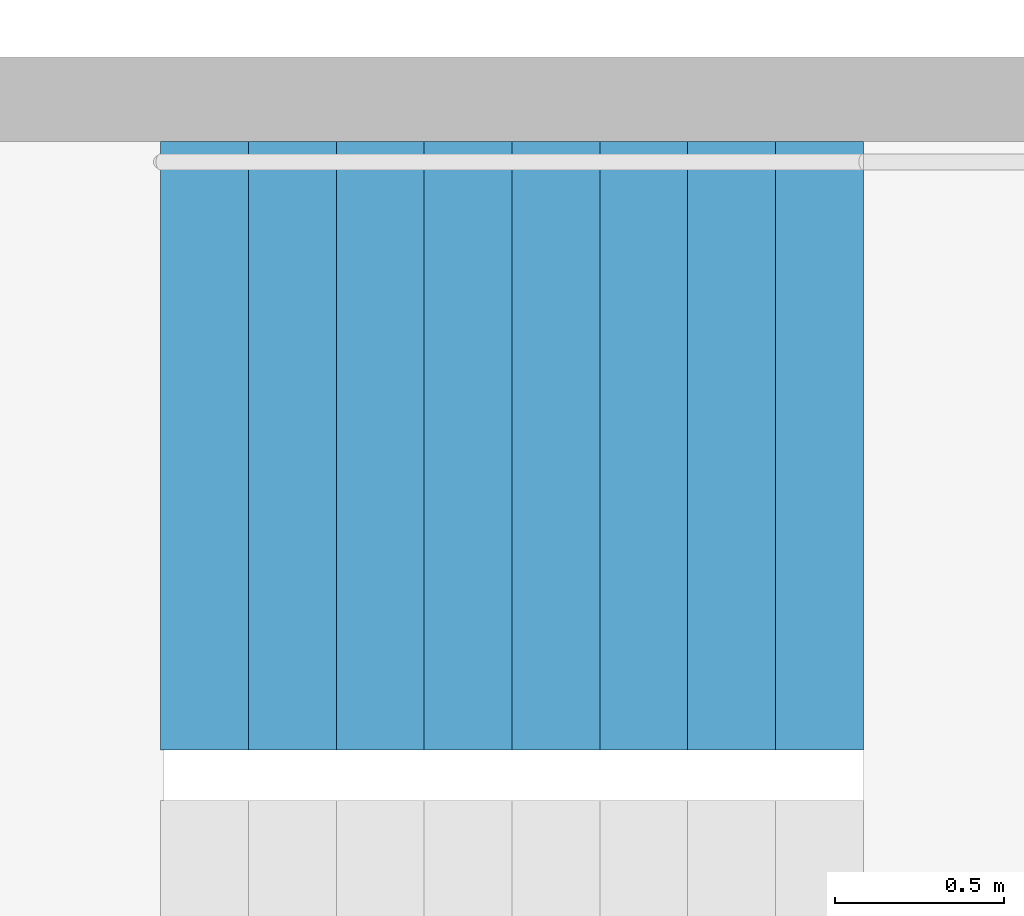
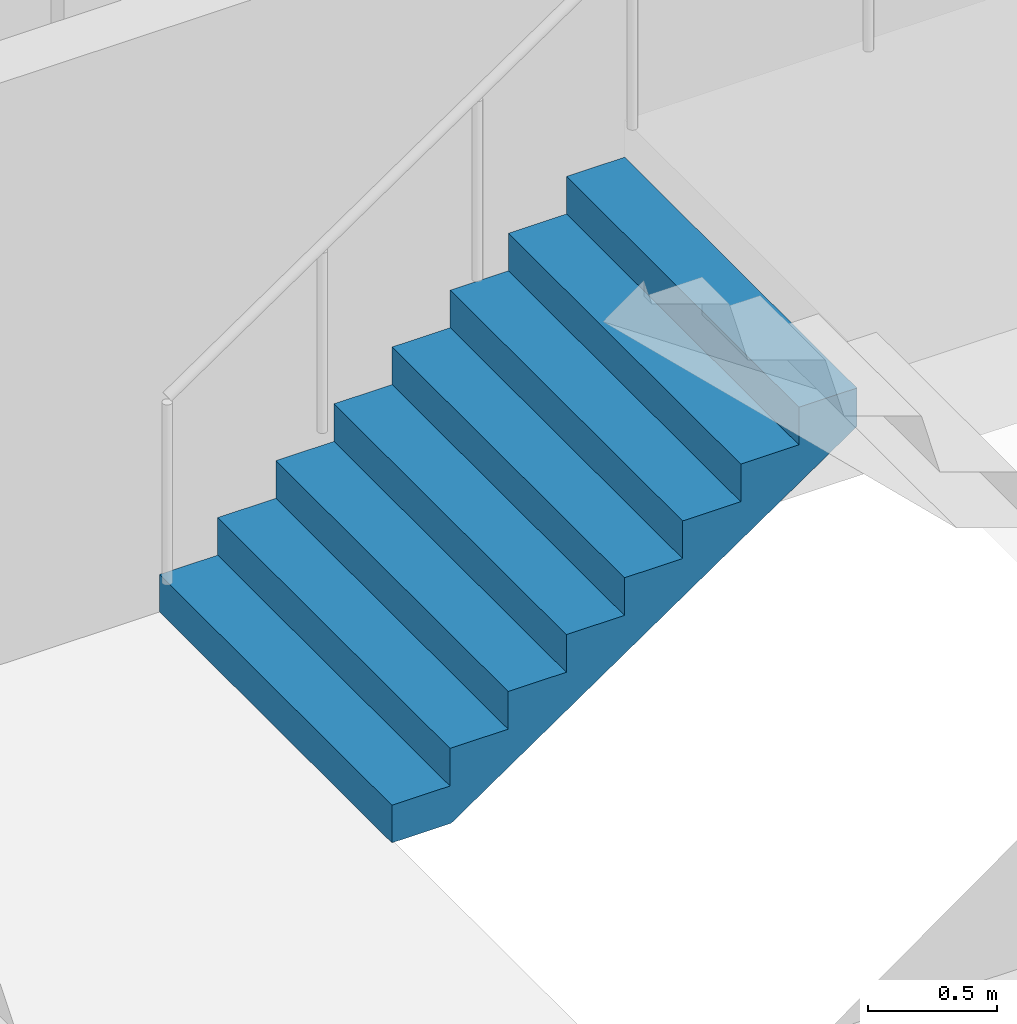
# One storey, part 24 of 27: 1 stair flight, 1 element without a shape of its own.
"""IFC4 building model written with IfcOpenShell, lengths in metres."""

import ifcopenshell
import ifcopenshell.guid

model = None  # the IFC model being written
_history = None  # IfcOwnerHistory: only IFC2X3 demands one
_inside = {}  # id of a spatial element -> (the spatial element, [elements in it])
_under = {}  # id of a project, library or spatial element -> (it, [spatial elements below it])
_declared = {}  # id of a project -> (the project, [libraries it declares])
_typed = {}  # id of a type object -> (the type object, [elements of that type])
_made_of = {}  # id of a material, layer set ... -> (it, [elements and type objects made of it])


def new_model(schema):
    """Start an empty IFC model of exactly this schema.

    Asked for "IFC4X3", IfcOpenShell would pick the latest addendum, in which some entities
    have other attributes; the version numbers below select the first issue.
    IFC2X3 requires an IfcOwnerHistory on every rooted entity: one is made here for all.
    """
    global model, _history
    if schema == "IFC4X3":
        model = ifcopenshell.file(schema_version=(4, 3, 0, 0))
    else:
        model = ifcopenshell.file(schema=schema)
    _inside.clear()
    _under.clear()
    _declared.clear()
    _typed.clear()
    _made_of.clear()
    _history = None
    if model.schema == "IFC2X3":
        org = make("IfcOrganization", Name="unknown")
        user = make(
            "IfcPersonAndOrganization",
            ThePerson=make("IfcPerson", FamilyName="unknown"),
            TheOrganization=org,
        )
        app = make(
            "IfcApplication",
            ApplicationDeveloper=org,
            Version="unknown",
            ApplicationFullName="unknown",
            ApplicationIdentifier="unknown",
        )
        _history = make(
            "IfcOwnerHistory",
            OwningUser=user,
            OwningApplication=app,
            ChangeAction="ADDED",
            CreationDate=0,
        )
    return model


def make(cls, **values):
    """One entity of the class cls with the attributes given. An attribute that is None is left unset."""
    return model.create_entity(
        cls, **{name: value for name, value in values.items() if value is not None}
    )


def rooted(cls, **values):
    """An entity with a GlobalId (a new one), such as an element, a storey or a relation."""
    return make(cls, GlobalId=ifcopenshell.guid.new(), OwnerHistory=_history, **values)


def si_unit(unit_type, name, prefix=None):
    """IfcSIUnit, for example si_unit("LENGTHUNIT", "METRE", prefix="MILLI")."""
    return make("IfcSIUnit", UnitType=unit_type, Prefix=prefix, Name=name)


def assignment(units):
    """IfcUnitAssignment: the units of a project."""
    return None if units is None else make("IfcUnitAssignment", Units=units)


def point(xyz):
    """IfcCartesianPoint."""
    return None if xyz is None else make("IfcCartesianPoint", Coordinates=xyz)


def direction(xyz):
    """IfcDirection."""
    return None if xyz is None else make("IfcDirection", DirectionRatios=xyz)


def frame(location, z_axis=None, x_axis=None):
    """IfcAxis2Placement3D, a coordinate frame: its origin and axes. An axis left out is left unset."""
    return make(
        "IfcAxis2Placement3D",
        Location=point(location),
        Axis=direction(z_axis),
        RefDirection=direction(x_axis),
    )


def origin():
    """The frame at (0, 0, 0) with its axes left unset."""
    return frame((0.0, 0.0, 0.0))


def place(relative_to, where):
    """IfcLocalPlacement: puts the frame where relative to a parent placement (None: the world)."""
    return make(
        "IfcLocalPlacement", PlacementRelTo=relative_to, RelativePlacement=where
    )


def context(
    kind, dimensions, precision=None, world=None, true_north=None, identifier=None
):
    """IfcGeometricRepresentationContext, for example the 3D "Model" context."""
    return make(
        "IfcGeometricRepresentationContext",
        ContextIdentifier=identifier,
        ContextType=kind,
        CoordinateSpaceDimension=dimensions,
        Precision=precision,
        WorldCoordinateSystem=world,
        TrueNorth=true_north,
    )


def subcontext(parent, identifier, kind, view, scale=None):
    """IfcGeometricRepresentationSubContext, for example "Body" below "Model"."""
    return make(
        "IfcGeometricRepresentationSubContext",
        ContextIdentifier=identifier,
        ContextType=kind,
        ParentContext=parent,
        TargetScale=scale,
        TargetView=view,
    )


def project(units=None, contexts=None):
    """IfcProject with its units and contexts."""
    return rooted(
        "IfcProject",
        Name="project",
        RepresentationContexts=contexts,
        UnitsInContext=assignment(units),
    )


def spatial(cls, under=None, at=None, **own):
    """A site, building, storey or space (cls), placed at a placement, below another one or the project."""
    s = rooted(cls, ObjectPlacement=at, **own)
    if under is not None:
        _under.setdefault(under.id(), (under, []))[1].append(s)
    return s


def point_list(points):
    """IfcCartesianPointList2D or 3D."""
    cls = (
        "IfcCartesianPointList2D" if len(points[0]) == 2 else "IfcCartesianPointList3D"
    )
    return make(cls, CoordList=points)


def triangles(points, corners, closed=None, point_numbers=None):
    """IfcTriangulatedFaceSet: each triangle names its three corners, points numbered from 1."""
    return make(
        "IfcTriangulatedFaceSet",
        Coordinates=point_list(points),
        Closed=closed,
        CoordIndex=corners,
        PnIndex=point_numbers,
    )


def shape(context_of_items, identifier, shape_type, items):
    """IfcShapeRepresentation: the items that make up one representation, for example the "Body"."""
    return make(
        "IfcShapeRepresentation",
        ContextOfItems=context_of_items,
        RepresentationIdentifier=identifier,
        RepresentationType=shape_type,
        Items=items,
    )


def material(Name=None, Category=None):
    """IfcMaterial."""
    return make("IfcMaterial", Name=Name, Category=Category)


def made_of(thing, what):
    """Note that an element or type object is made of a material, layer set ...; save() writes the relation."""
    if what is not None:
        _made_of.setdefault(what.id(), (what, []))[1].append(thing)
    return thing


def type_object(cls, material=None, **own):
    """A type object (cls), such as IfcWallType, which elements share."""
    return made_of(rooted(cls, **own), material)


def element(
    cls,
    number,
    at=None,
    inside=None,
    cuts=None,
    type_object=None,
    material=None,
    context=None,
    identifier="Body",
    shape_type=None,
    held_by="IfcProductDefinitionShape",
    body=None,
    shapes=None,
    **own,
):
    """One element of the class cls, such as IfcWall. Its Tag is "e" and its number.

    at: its placement. inside: the storey or other place that contains it. cuts: it is an
    opening in that element (IfcRelVoidsElement). A single representation is given by context,
    identifier, shape_type and body (its items); several are given by shapes. held_by: the class
    of the entity that holds the representations. save() writes the other relations.
    """
    e = rooted(cls, Tag="e%d" % number, ObjectPlacement=at, **own)
    if body is not None:
        shapes = [shape(context, identifier, shape_type, body)]
    if shapes is not None:
        e.Representation = make(held_by, Representations=shapes)
    if inside is not None:
        _inside.setdefault(inside.id(), (inside, []))[1].append(e)
    if cuts is not None:
        rooted(
            "IfcRelVoidsElement", RelatingBuildingElement=cuts, RelatedOpeningElement=e
        )
    if type_object is not None:
        _typed.setdefault(type_object.id(), (type_object, []))[1].append(e)
    return made_of(e, material)


def aggregate(whole, parts):
    """IfcRelAggregates: a whole, such as a stair, and the parts it consists of."""
    return rooted("IfcRelAggregates", RelatingObject=whole, RelatedObjects=parts)


def save(model, path):
    """Write the relations noted so far, then the file.

    IfcRelAggregates (storeys below a building ...), IfcRelContainedInSpatialStructure (elements
    in a storey), IfcRelDefinesByType, IfcRelAssociatesMaterial and IfcRelDeclares: one each for
    every whole, place, type object, material and project.
    """
    for whole, parts in _under.values():
        aggregate(whole, parts)
    for where, things in _inside.values():
        rooted(
            "IfcRelContainedInSpatialStructure",
            RelatedElements=things,
            RelatingStructure=where,
        )
    for kind, things in _typed.values():
        rooted("IfcRelDefinesByType", RelatedObjects=things, RelatingType=kind)
    for what, things in _made_of.values():
        rooted("IfcRelAssociatesMaterial", RelatedObjects=things, RelatingMaterial=what)
    for by, libraries in _declared.values():
        rooted("IfcRelDeclares", RelatingContext=by, RelatedDefinitions=libraries)
    model.write(path)


model = new_model("IFC4")

# Units and contexts
model_context = context("Model", 3, precision=1e-05, world=origin(), true_north=direction((0.0, 1.0)))
body_context = subcontext(model_context, "Body", "Model", "MODEL_VIEW")
ifc_project = project(units=[si_unit("LENGTHUNIT", "METRE"), si_unit("AREAUNIT", "SQUARE_METRE"), si_unit("VOLUMEUNIT", "CUBIC_METRE"), si_unit("PLANEANGLEUNIT", "RADIAN"), si_unit("MASSUNIT", "GRAM", prefix="KILO")], contexts=[model_context])

# Site, building, storey
site_placement = place(None, origin())
site = spatial("IfcSite", under=ifc_project, at=site_placement, CompositionType="ELEMENT")
building_placement = place(site_placement, origin())
building = spatial("IfcBuilding", under=site, at=building_placement, Name="Hakoniwa Tower and Hamabe Station Hall", CompositionType="ELEMENT")
storey_placement = place(building_placement, frame((0.0, 0.0, 255.0)))
storey = spatial("IfcBuildingStorey", under=building, at=storey_placement, Name="L72", CompositionType="ELEMENT", Elevation=255.0)

# Stair, stair flight
ifc_material_1 = material(Name="Concrete C40", Category="concrete")
stair_type = type_object("IfcStairType", Name="ESCAPE STAIR 1800", PredefinedType="HALF_TURN_STAIR", material=ifc_material_1)
stair_placement = place(storey_placement, origin())
stair = element("IfcStair", 1, at=stair_placement, inside=storey, type_object=stair_type, Name="Escape stair ST-4 L72", PredefinedType="HALF_TURN_STAIR")
ifc_material_2 = material(Name="Concrete C40", Category="concrete")
stair_flight_type = type_object("IfcStairFlightType", Name="STAIR FLIGHT 1800", PredefinedType="STRAIGHT", material=ifc_material_2)
stair_flight_placement = place(storey_placement, frame((23.39990234375, -4.64990234375, 0.0), z_axis=(0.0, 0.0, 1.0), x_axis=(1.0, 0.0, 0.0)))
stair_flight = element("IfcStairFlight", 2, at=stair_flight_placement, type_object=stair_flight_type, Name="ST-4 flight 1", NumberOfRisers=9, NumberOfTreads=8, PredefinedType="STRAIGHT", RiserHeight=0.177777778, TreadLength=0.26, context=body_context, shape_type="Tessellation", body=[
    triangles([(0.0, 0.89990234375, 0.0), (0.260009765625, 0.89990234375, 0.0), (0.265625, 0.89990234375, 0.0), (0.52001953125, 0.89990234375, 0.174072265625), (0.780029296875, 0.89990234375, 0.351806640625), (1.0400390625, 0.89990234375, 0.529541015625), (1.300048828125, 0.89990234375, 0.707275390625), (1.56005859375, 0.89990234375, 0.885009765625), (1.820068359375, 0.89990234375, 1.062744140625), (2.080078125, 0.89990234375, 1.24072265625), (2.080078125, 0.89990234375, 1.422119140625), (1.820068359375, 0.89990234375, 1.422119140625), (1.820068359375, 0.89990234375, 1.244384765625), (1.56005859375, 0.89990234375, 1.244384765625), (1.56005859375, 0.89990234375, 1.066650390625), (1.300048828125, 0.89990234375, 1.066650390625), (1.300048828125, 0.89990234375, 0.888916015625), (1.0400390625, 0.89990234375, 0.888916015625), (1.0400390625, 0.89990234375, 0.711181640625), (0.780029296875, 0.89990234375, 0.711181640625), (0.780029296875, 0.89990234375, 0.533447265625), (0.52001953125, 0.89990234375, 0.533447265625), (0.52001953125, 0.89990234375, 0.35546875), (0.265625, 0.89990234375, 0.35546875), (0.260009765625, 0.89990234375, 0.35546875), (0.260009765625, 0.89990234375, 0.177734375), (0.0, 0.89990234375, 0.177734375), (0.0, 0.06005859375, 0.0), (0.260009765625, 0.06005859375, 0.0), (0.265625, 0.06005859375, 0.0), (0.52001953125, 0.06005859375, 0.174072265625), (0.780029296875, 0.06005859375, 0.351806640625), (1.0400390625, 0.06005859375, 0.529541015625), (1.300048828125, 0.06005859375, 0.707275390625), (1.56005859375, 0.06005859375, 0.885009765625), (1.820068359375, 0.06005859375, 1.062744140625), (2.080078125, 0.06005859375, 1.24072265625), (2.080078125, 0.06005859375, 1.422119140625), (1.820068359375, 0.06005859375, 1.422119140625), (1.820068359375, 0.06005859375, 1.244384765625), (1.56005859375, 0.06005859375, 1.244384765625), (1.56005859375, 0.06005859375, 1.066650390625), (1.300048828125, 0.06005859375, 1.066650390625), (1.300048828125, 0.06005859375, 0.888916015625), (1.0400390625, 0.06005859375, 0.888916015625), (1.0400390625, 0.06005859375, 0.711181640625), (0.780029296875, 0.06005859375, 0.711181640625), (0.780029296875, 0.06005859375, 0.533447265625), (0.52001953125, 0.06005859375, 0.533447265625), (0.52001953125, 0.06005859375, 0.35546875), (0.265625, 0.06005859375, 0.35546875), (0.260009765625, 0.06005859375, 0.35546875), (0.260009765625, 0.06005859375, 0.177734375), (0.0, 0.06005859375, 0.177734375), (0.0, 0.04296875, 0.0), (0.260009765625, 0.04296875, 0.0), (0.265625, 0.04296875, 0.0), (0.52001953125, 0.04296875, 0.174072265625), (0.780029296875, 0.04296875, 0.351806640625), (1.0400390625, 0.04296875, 0.529541015625), (1.300048828125, 0.04296875, 0.707275390625), (1.56005859375, 0.04296875, 0.885009765625), (1.820068359375, 0.04296875, 1.062744140625), (2.080078125, 0.04296875, 1.24072265625), (2.080078125, 0.04296875, 1.422119140625), (1.820068359375, 0.04296875, 1.422119140625), (1.820068359375, 0.04296875, 1.244384765625), (1.56005859375, 0.04296875, 1.244384765625), (1.56005859375, 0.04296875, 1.066650390625), (1.300048828125, 0.04296875, 1.066650390625), (1.300048828125, 0.04296875, 0.888916015625), (1.0400390625, 0.04296875, 0.888916015625), (1.0400390625, 0.04296875, 0.711181640625), (0.780029296875, 0.04296875, 0.711181640625), (0.780029296875, 0.04296875, 0.533447265625), (0.52001953125, 0.04296875, 0.533447265625), (0.52001953125, 0.04296875, 0.35546875), (0.265625, 0.04296875, 0.35546875), (0.260009765625, 0.04296875, 0.35546875), (0.260009765625, 0.04296875, 0.177734375), (0.0, 0.04296875, 0.177734375), (0.0, 0.025634765625, 0.0), (0.260009765625, 0.025634765625, 0.0), (0.265625, 0.025634765625, 0.0), (0.52001953125, 0.025634765625, 0.174072265625), (0.780029296875, 0.025634765625, 0.351806640625), (1.0400390625, 0.025634765625, 0.529541015625), (1.300048828125, 0.025634765625, 0.707275390625), (1.56005859375, 0.025634765625, 0.885009765625), (1.820068359375, 0.025634765625, 1.062744140625), (2.080078125, 0.025634765625, 1.24072265625), (2.080078125, 0.025634765625, 1.422119140625), (1.820068359375, 0.025634765625, 1.422119140625), (1.820068359375, 0.025634765625, 1.244384765625), (1.56005859375, 0.025634765625, 1.244384765625), (1.56005859375, 0.025634765625, 1.066650390625), (1.300048828125, 0.025634765625, 1.066650390625), (1.300048828125, 0.025634765625, 0.888916015625), (1.0400390625, 0.025634765625, 0.888916015625), (1.0400390625, 0.025634765625, 0.711181640625), (0.780029296875, 0.025634765625, 0.711181640625), (0.780029296875, 0.025634765625, 0.533447265625), (0.52001953125, 0.025634765625, 0.533447265625), (0.52001953125, 0.025634765625, 0.35546875), (0.265625, 0.025634765625, 0.35546875), (0.260009765625, 0.025634765625, 0.35546875), (0.260009765625, 0.025634765625, 0.177734375), (0.0, 0.025634765625, 0.177734375), (0.0, 0.008544921875, 0.0), (0.260009765625, 0.008544921875, 0.0), (0.265625, 0.008544921875, 0.0), (0.52001953125, 0.008544921875, 0.174072265625), (0.780029296875, 0.008544921875, 0.351806640625), (1.0400390625, 0.008544921875, 0.529541015625), (1.300048828125, 0.008544921875, 0.707275390625), (1.56005859375, 0.008544921875, 0.885009765625), (1.820068359375, 0.008544921875, 1.062744140625), (2.080078125, 0.008544921875, 1.24072265625), (2.080078125, 0.008544921875, 1.422119140625), (1.820068359375, 0.008544921875, 1.422119140625), (1.820068359375, 0.008544921875, 1.244384765625), (1.56005859375, 0.008544921875, 1.244384765625), (1.56005859375, 0.008544921875, 1.066650390625), (1.300048828125, 0.008544921875, 1.066650390625), (1.300048828125, 0.008544921875, 0.888916015625), (1.0400390625, 0.008544921875, 0.888916015625), (1.0400390625, 0.008544921875, 0.711181640625), (0.780029296875, 0.008544921875, 0.711181640625), (0.780029296875, 0.008544921875, 0.533447265625), (0.52001953125, 0.008544921875, 0.533447265625), (0.52001953125, 0.008544921875, 0.35546875), (0.265625, 0.008544921875, 0.35546875), (0.260009765625, 0.008544921875, 0.35546875), (0.260009765625, 0.008544921875, 0.177734375), (0.0, 0.008544921875, 0.177734375), (0.0, -0.008544921875, 0.0), (0.260009765625, -0.008544921875, 0.0), (0.265625, -0.008544921875, 0.0), (0.52001953125, -0.008544921875, 0.174072265625), (0.780029296875, -0.008544921875, 0.351806640625), (1.0400390625, -0.008544921875, 0.529541015625), (1.300048828125, -0.008544921875, 0.707275390625), (1.56005859375, -0.008544921875, 0.885009765625), (1.820068359375, -0.008544921875, 1.062744140625), (2.080078125, -0.008544921875, 1.24072265625), (2.080078125, -0.008544921875, 1.422119140625), (1.820068359375, -0.008544921875, 1.422119140625), (1.820068359375, -0.008544921875, 1.244384765625), (1.56005859375, -0.008544921875, 1.244384765625), (1.56005859375, -0.008544921875, 1.066650390625), (1.300048828125, -0.008544921875, 1.066650390625), (1.300048828125, -0.008544921875, 0.888916015625), (1.0400390625, -0.008544921875, 0.888916015625), (1.0400390625, -0.008544921875, 0.711181640625), (0.780029296875, -0.008544921875, 0.711181640625), (0.780029296875, -0.008544921875, 0.533447265625), (0.52001953125, -0.008544921875, 0.533447265625), (0.52001953125, -0.008544921875, 0.35546875), (0.265625, -0.008544921875, 0.35546875), (0.260009765625, -0.008544921875, 0.35546875), (0.260009765625, -0.008544921875, 0.177734375), (0.0, -0.008544921875, 0.177734375), (0.0, -0.025634765625, 0.0), (0.260009765625, -0.025634765625, 0.0), (0.265625, -0.025634765625, 0.0), (0.52001953125, -0.025634765625, 0.174072265625), (0.780029296875, -0.025634765625, 0.351806640625), (1.0400390625, -0.025634765625, 0.529541015625), (1.300048828125, -0.025634765625, 0.707275390625), (1.56005859375, -0.025634765625, 0.885009765625), (1.820068359375, -0.025634765625, 1.062744140625), (2.080078125, -0.025634765625, 1.24072265625), (2.080078125, -0.025634765625, 1.422119140625), (1.820068359375, -0.025634765625, 1.422119140625), (1.820068359375, -0.025634765625, 1.244384765625), (1.56005859375, -0.025634765625, 1.244384765625), (1.56005859375, -0.025634765625, 1.066650390625), (1.300048828125, -0.025634765625, 1.066650390625), (1.300048828125, -0.025634765625, 0.888916015625), (1.0400390625, -0.025634765625, 0.888916015625), (1.0400390625, -0.025634765625, 0.711181640625), (0.780029296875, -0.025634765625, 0.711181640625), (0.780029296875, -0.025634765625, 0.533447265625), (0.52001953125, -0.025634765625, 0.533447265625), (0.52001953125, -0.025634765625, 0.35546875), (0.265625, -0.025634765625, 0.35546875), (0.260009765625, -0.025634765625, 0.35546875), (0.260009765625, -0.025634765625, 0.177734375), (0.0, -0.025634765625, 0.177734375), (0.0, -0.04296875, 0.0), (0.260009765625, -0.04296875, 0.0), (0.265625, -0.04296875, 0.0), (0.52001953125, -0.04296875, 0.174072265625), (0.780029296875, -0.04296875, 0.351806640625), (1.0400390625, -0.04296875, 0.529541015625), (1.300048828125, -0.04296875, 0.707275390625), (1.56005859375, -0.04296875, 0.885009765625), (1.820068359375, -0.04296875, 1.062744140625), (2.080078125, -0.04296875, 1.24072265625), (2.080078125, -0.04296875, 1.422119140625), (1.820068359375, -0.04296875, 1.422119140625), (1.820068359375, -0.04296875, 1.244384765625), (1.56005859375, -0.04296875, 1.244384765625), (1.56005859375, -0.04296875, 1.066650390625), (1.300048828125, -0.04296875, 1.066650390625), (1.300048828125, -0.04296875, 0.888916015625), (1.0400390625, -0.04296875, 0.888916015625), (1.0400390625, -0.04296875, 0.711181640625), (0.780029296875, -0.04296875, 0.711181640625), (0.780029296875, -0.04296875, 0.533447265625), (0.52001953125, -0.04296875, 0.533447265625), (0.52001953125, -0.04296875, 0.35546875), (0.265625, -0.04296875, 0.35546875), (0.260009765625, -0.04296875, 0.35546875), (0.260009765625, -0.04296875, 0.177734375), (0.0, -0.04296875, 0.177734375), (0.0, -0.06005859375, 0.0), (0.260009765625, -0.06005859375, 0.0), (0.265625, -0.06005859375, 0.0), (0.52001953125, -0.06005859375, 0.174072265625), (0.780029296875, -0.06005859375, 0.351806640625), (1.0400390625, -0.06005859375, 0.529541015625), (1.300048828125, -0.06005859375, 0.707275390625), (1.56005859375, -0.06005859375, 0.885009765625), (1.820068359375, -0.06005859375, 1.062744140625), (2.080078125, -0.06005859375, 1.24072265625), (2.080078125, -0.06005859375, 1.422119140625), (1.820068359375, -0.06005859375, 1.422119140625), (1.820068359375, -0.06005859375, 1.244384765625), (1.56005859375, -0.06005859375, 1.244384765625), (1.56005859375, -0.06005859375, 1.066650390625), (1.300048828125, -0.06005859375, 1.066650390625), (1.300048828125, -0.06005859375, 0.888916015625), (1.0400390625, -0.06005859375, 0.888916015625), (1.0400390625, -0.06005859375, 0.711181640625), (0.780029296875, -0.06005859375, 0.711181640625), (0.780029296875, -0.06005859375, 0.533447265625), (0.52001953125, -0.06005859375, 0.533447265625), (0.52001953125, -0.06005859375, 0.35546875), (0.265625, -0.06005859375, 0.35546875), (0.260009765625, -0.06005859375, 0.35546875), (0.260009765625, -0.06005859375, 0.177734375), (0.0, -0.06005859375, 0.177734375), (0.0, -0.89990234375, 0.0), (0.260009765625, -0.89990234375, 0.0), (0.265625, -0.89990234375, 0.0), (0.52001953125, -0.89990234375, 0.174072265625), (0.780029296875, -0.89990234375, 0.351806640625), (1.0400390625, -0.89990234375, 0.529541015625), (1.300048828125, -0.89990234375, 0.707275390625), (1.56005859375, -0.89990234375, 0.885009765625), (1.820068359375, -0.89990234375, 1.062744140625), (2.080078125, -0.89990234375, 1.24072265625), (2.080078125, -0.89990234375, 1.422119140625), (1.820068359375, -0.89990234375, 1.422119140625), (1.820068359375, -0.89990234375, 1.244384765625), (1.56005859375, -0.89990234375, 1.244384765625), (1.56005859375, -0.89990234375, 1.066650390625), (1.300048828125, -0.89990234375, 1.066650390625), (1.300048828125, -0.89990234375, 0.888916015625), (1.0400390625, -0.89990234375, 0.888916015625), (1.0400390625, -0.89990234375, 0.711181640625), (0.780029296875, -0.89990234375, 0.711181640625), (0.780029296875, -0.89990234375, 0.533447265625), (0.52001953125, -0.89990234375, 0.533447265625), (0.52001953125, -0.89990234375, 0.35546875), (0.265625, -0.89990234375, 0.35546875), (0.260009765625, -0.89990234375, 0.35546875), (0.260009765625, -0.89990234375, 0.177734375), (0.0, -0.89990234375, 0.177734375)], [[2, 27, 26], [245, 269, 270], [2, 1, 27], [245, 270, 244], [3, 25, 24], [246, 267, 268], [3, 26, 25], [246, 268, 269], [3, 2, 26], [246, 269, 245], [4, 24, 23], [247, 266, 267], [4, 3, 24], [247, 267, 246], [5, 22, 21], [248, 264, 265], [5, 23, 22], [248, 265, 266], [5, 4, 23], [248, 266, 247], [6, 20, 19], [249, 262, 263], [6, 21, 20], [249, 263, 264], [6, 5, 21], [249, 264, 248], [7, 18, 17], [250, 260, 261], [7, 19, 18], [250, 261, 262], [7, 6, 19], [250, 262, 249], [8, 16, 15], [251, 258, 259], [8, 17, 16], [251, 259, 260], [8, 7, 17], [251, 260, 250], [9, 14, 13], [252, 256, 257], [9, 15, 14], [252, 257, 258], [9, 8, 15], [252, 258, 251], [10, 12, 11], [253, 254, 255], [10, 13, 12], [253, 255, 256], [10, 9, 13], [253, 256, 252], [1, 2, 29], [1, 29, 28], [28, 29, 56], [28, 56, 55], [55, 56, 83], [55, 83, 82], [82, 83, 110], [82, 110, 109], [109, 110, 137], [109, 137, 136], [136, 137, 164], [136, 164, 163], [163, 164, 191], [163, 191, 190], [190, 191, 218], [190, 218, 217], [217, 218, 245], [217, 245, 244], [2, 3, 30], [2, 30, 29], [29, 30, 57], [29, 57, 56], [56, 57, 84], [56, 84, 83], [83, 84, 111], [83, 111, 110], [110, 111, 138], [110, 138, 137], [137, 138, 165], [137, 165, 164], [164, 165, 192], [164, 192, 191], [191, 192, 219], [191, 219, 218], [218, 219, 246], [218, 246, 245], [3, 4, 31], [3, 31, 30], [30, 31, 58], [30, 58, 57], [57, 58, 85], [57, 85, 84], [84, 85, 112], [84, 112, 111], [111, 112, 139], [111, 139, 138], [138, 139, 166], [138, 166, 165], [165, 166, 193], [165, 193, 192], [192, 193, 220], [192, 220, 219], [219, 220, 247], [219, 247, 246], [4, 5, 32], [4, 32, 31], [31, 32, 59], [31, 59, 58], [58, 59, 86], [58, 86, 85], [85, 86, 113], [85, 113, 112], [112, 113, 140], [112, 140, 139], [139, 140, 167], [139, 167, 166], [166, 167, 194], [166, 194, 193], [193, 194, 221], [193, 221, 220], [220, 221, 248], [220, 248, 247], [5, 6, 33], [5, 33, 32], [32, 33, 60], [32, 60, 59], [59, 60, 87], [59, 87, 86], [86, 87, 114], [86, 114, 113], [113, 114, 141], [113, 141, 140], [140, 141, 168], [140, 168, 167], [167, 168, 195], [167, 195, 194], [194, 195, 222], [194, 222, 221], [221, 222, 249], [221, 249, 248], [6, 7, 34], [6, 34, 33], [33, 34, 61], [33, 61, 60], [60, 61, 88], [60, 88, 87], [87, 88, 115], [87, 115, 114], [114, 115, 142], [114, 142, 141], [141, 142, 169], [141, 169, 168], [168, 169, 196], [168, 196, 195], [195, 196, 223], [195, 223, 222], [222, 223, 250], [222, 250, 249], [7, 8, 35], [7, 35, 34], [34, 35, 62], [34, 62, 61], [61, 62, 89], [61, 89, 88], [88, 89, 116], [88, 116, 115], [115, 116, 143], [115, 143, 142], [142, 143, 170], [142, 170, 169], [169, 170, 197], [169, 197, 196], [196, 197, 224], [196, 224, 223], [223, 224, 251], [223, 251, 250], [8, 9, 36], [8, 36, 35], [35, 36, 63], [35, 63, 62], [62, 63, 90], [62, 90, 89], [89, 90, 117], [89, 117, 116], [116, 117, 144], [116, 144, 143], [143, 144, 171], [143, 171, 170], [170, 171, 198], [170, 198, 197], [197, 198, 225], [197, 225, 224], [224, 225, 252], [224, 252, 251], [9, 10, 37], [9, 37, 36], [36, 37, 64], [36, 64, 63], [63, 64, 91], [63, 91, 90], [90, 91, 118], [90, 118, 117], [117, 118, 145], [117, 145, 144], [144, 145, 172], [144, 172, 171], [171, 172, 199], [171, 199, 198], [198, 199, 226], [198, 226, 225], [225, 226, 253], [225, 253, 252], [10, 11, 38], [10, 38, 37], [37, 38, 65], [37, 65, 64], [64, 65, 92], [64, 92, 91], [91, 92, 119], [91, 119, 118], [118, 119, 146], [118, 146, 145], [145, 146, 173], [145, 173, 172], [172, 173, 200], [172, 200, 199], [199, 200, 227], [199, 227, 226], [226, 227, 254], [226, 254, 253], [11, 12, 39], [11, 39, 38], [38, 39, 66], [38, 66, 65], [65, 66, 93], [65, 93, 92], [92, 93, 120], [92, 120, 119], [119, 120, 147], [119, 147, 146], [146, 147, 174], [146, 174, 173], [173, 174, 201], [173, 201, 200], [200, 201, 228], [200, 228, 227], [227, 228, 255], [227, 255, 254], [12, 13, 40], [12, 40, 39], [39, 40, 67], [39, 67, 66], [66, 67, 94], [66, 94, 93], [93, 94, 121], [93, 121, 120], [120, 121, 148], [120, 148, 147], [147, 148, 175], [147, 175, 174], [174, 175, 202], [174, 202, 201], [201, 202, 229], [201, 229, 228], [228, 229, 256], [228, 256, 255], [13, 14, 41], [13, 41, 40], [40, 41, 68], [40, 68, 67], [67, 68, 95], [67, 95, 94], [94, 95, 122], [94, 122, 121], [121, 122, 149], [121, 149, 148], [148, 149, 176], [148, 176, 175], [175, 176, 203], [175, 203, 202], [202, 203, 230], [202, 230, 229], [229, 230, 257], [229, 257, 256], [14, 15, 42], [14, 42, 41], [41, 42, 69], [41, 69, 68], [68, 69, 96], [68, 96, 95], [95, 96, 123], [95, 123, 122], [122, 123, 150], [122, 150, 149], [149, 150, 177], [149, 177, 176], [176, 177, 204], [176, 204, 203], [203, 204, 231], [203, 231, 230], [230, 231, 258], [230, 258, 257], [15, 16, 43], [15, 43, 42], [42, 43, 70], [42, 70, 69], [69, 70, 97], [69, 97, 96], [96, 97, 124], [96, 124, 123], [123, 124, 151], [123, 151, 150], [150, 151, 178], [150, 178, 177], [177, 178, 205], [177, 205, 204], [204, 205, 232], [204, 232, 231], [231, 232, 259], [231, 259, 258], [16, 17, 44], [16, 44, 43], [43, 44, 71], [43, 71, 70], [70, 71, 98], [70, 98, 97], [97, 98, 125], [97, 125, 124], [124, 125, 152], [124, 152, 151], [151, 152, 179], [151, 179, 178], [178, 179, 206], [178, 206, 205], [205, 206, 233], [205, 233, 232], [232, 233, 260], [232, 260, 259], [17, 18, 45], [17, 45, 44], [44, 45, 72], [44, 72, 71], [71, 72, 99], [71, 99, 98], [98, 99, 126], [98, 126, 125], [125, 126, 153], [125, 153, 152], [152, 153, 180], [152, 180, 179], [179, 180, 207], [179, 207, 206], [206, 207, 234], [206, 234, 233], [233, 234, 261], [233, 261, 260], [18, 19, 46], [18, 46, 45], [45, 46, 73], [45, 73, 72], [72, 73, 100], [72, 100, 99], [99, 100, 127], [99, 127, 126], [126, 127, 154], [126, 154, 153], [153, 154, 181], [153, 181, 180], [180, 181, 208], [180, 208, 207], [207, 208, 235], [207, 235, 234], [234, 235, 262], [234, 262, 261], [19, 20, 47], [19, 47, 46], [46, 47, 74], [46, 74, 73], [73, 74, 101], [73, 101, 100], [100, 101, 128], [100, 128, 127], [127, 128, 155], [127, 155, 154], [154, 155, 182], [154, 182, 181], [181, 182, 209], [181, 209, 208], [208, 209, 236], [208, 236, 235], [235, 236, 263], [235, 263, 262], [20, 21, 48], [20, 48, 47], [47, 48, 75], [47, 75, 74], [74, 75, 102], [74, 102, 101], [101, 102, 129], [101, 129, 128], [128, 129, 156], [128, 156, 155], [155, 156, 183], [155, 183, 182], [182, 183, 210], [182, 210, 209], [209, 210, 237], [209, 237, 236], [236, 237, 264], [236, 264, 263], [21, 22, 49], [21, 49, 48], [48, 49, 76], [48, 76, 75], [75, 76, 103], [75, 103, 102], [102, 103, 130], [102, 130, 129], [129, 130, 157], [129, 157, 156], [156, 157, 184], [156, 184, 183], [183, 184, 211], [183, 211, 210], [210, 211, 238], [210, 238, 237], [237, 238, 265], [237, 265, 264], [22, 23, 50], [22, 50, 49], [49, 50, 77], [49, 77, 76], [76, 77, 104], [76, 104, 103], [103, 104, 131], [103, 131, 130], [130, 131, 158], [130, 158, 157], [157, 158, 185], [157, 185, 184], [184, 185, 212], [184, 212, 211], [211, 212, 239], [211, 239, 238], [238, 239, 266], [238, 266, 265], [23, 24, 51], [23, 51, 50], [50, 51, 78], [50, 78, 77], [77, 78, 105], [77, 105, 104], [104, 105, 132], [104, 132, 131], [131, 132, 159], [131, 159, 158], [158, 159, 186], [158, 186, 185], [185, 186, 213], [185, 213, 212], [212, 213, 240], [212, 240, 239], [239, 240, 267], [239, 267, 266], [24, 25, 52], [24, 52, 51], [51, 52, 79], [51, 79, 78], [78, 79, 106], [78, 106, 105], [105, 106, 133], [105, 133, 132], [132, 133, 160], [132, 160, 159], [159, 160, 187], [159, 187, 186], [186, 187, 214], [186, 214, 213], [213, 214, 241], [213, 241, 240], [240, 241, 268], [240, 268, 267], [25, 26, 53], [25, 53, 52], [52, 53, 80], [52, 80, 79], [79, 80, 107], [79, 107, 106], [106, 107, 134], [106, 134, 133], [133, 134, 161], [133, 161, 160], [160, 161, 188], [160, 188, 187], [187, 188, 215], [187, 215, 214], [214, 215, 242], [214, 242, 241], [241, 242, 269], [241, 269, 268], [26, 27, 54], [26, 54, 53], [53, 54, 81], [53, 81, 80], [80, 81, 108], [80, 108, 107], [107, 108, 135], [107, 135, 134], [134, 135, 162], [134, 162, 161], [161, 162, 189], [161, 189, 188], [188, 189, 216], [188, 216, 215], [215, 216, 243], [215, 243, 242], [242, 243, 270], [242, 270, 269], [27, 1, 28], [27, 28, 54], [54, 28, 55], [54, 55, 81], [81, 55, 82], [81, 82, 108], [108, 82, 109], [108, 109, 135], [135, 109, 136], [135, 136, 162], [162, 136, 163], [162, 163, 189], [189, 163, 190], [189, 190, 216], [216, 190, 217], [216, 217, 243], [243, 217, 244], [243, 244, 270]], closed=True),
])
aggregate(stair, [stair_flight])

save(model, "model.ifc")
